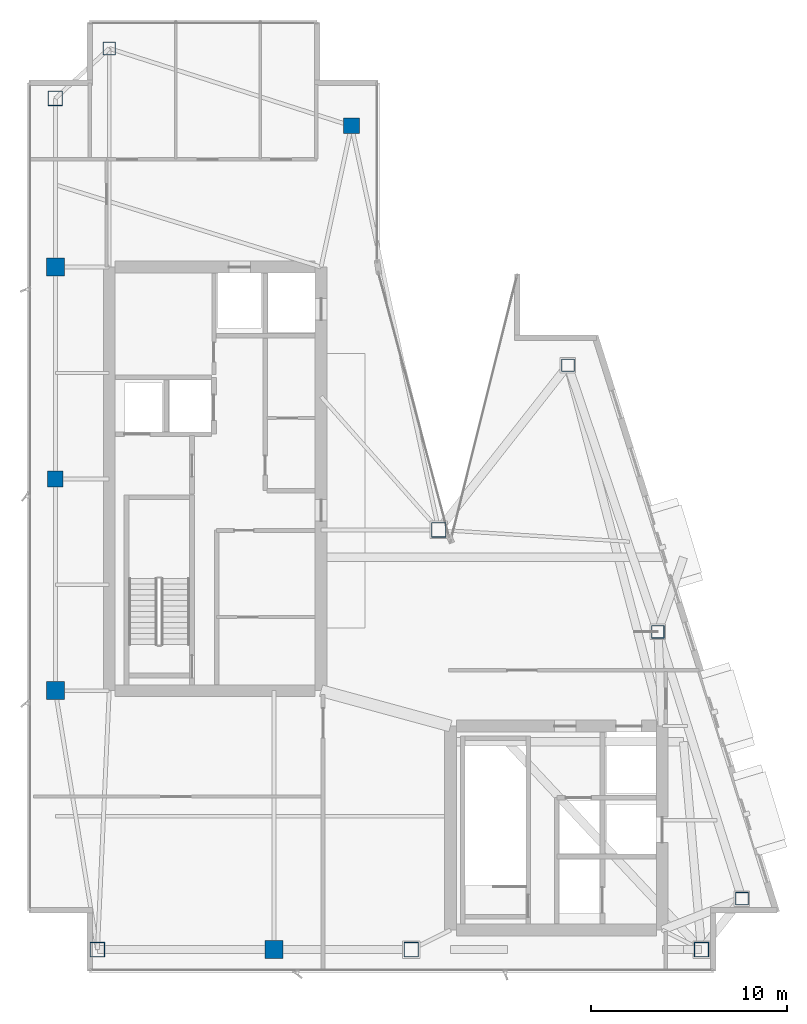
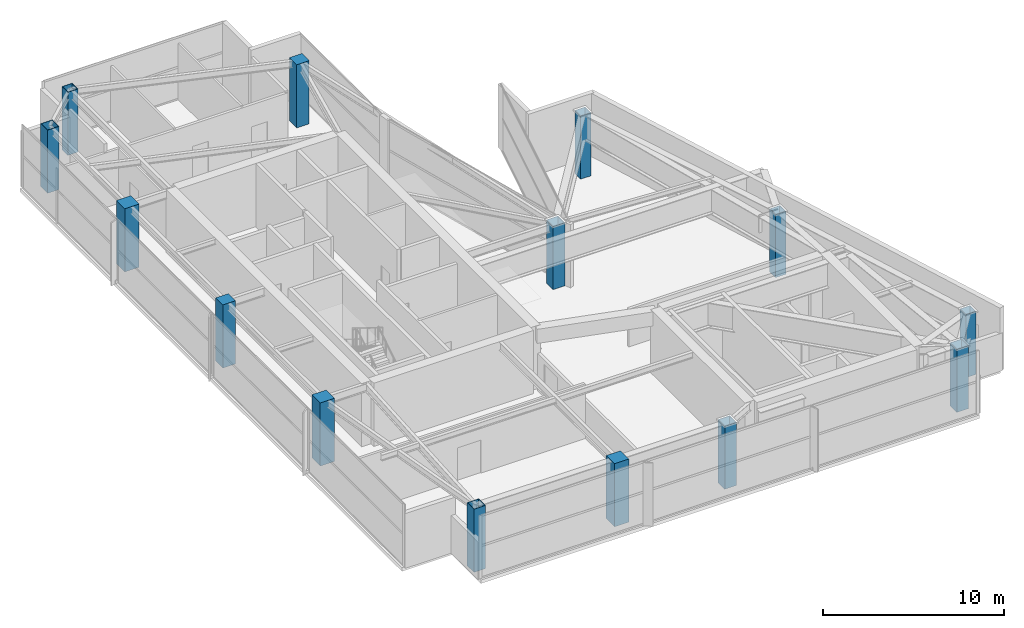
# One storey, part 1 of 25: 14 columns.
"""IFC4 building model written with IfcOpenShell, lengths in metres."""

from ifc_helpers import new_model, si_unit, direction, frame, origin, origin_2d, place, context, subcontext, project, spatial, rectangle, hollow_rectangle, extrude, material, material_profile, profile_set, type_object, element, save


model = new_model("IFC4")

# Units and contexts
model_context = context("Model", 3, precision=1e-05, world=origin(), true_north=direction((0.0, 1.0)))
body_context = subcontext(model_context, "Body", "Model", "MODEL_VIEW")
ifc_project = project(units=[si_unit("LENGTHUNIT", "METRE"), si_unit("AREAUNIT", "SQUARE_METRE"), si_unit("VOLUMEUNIT", "CUBIC_METRE"), si_unit("PLANEANGLEUNIT", "RADIAN"), si_unit("MASSUNIT", "GRAM", prefix="KILO")], contexts=[model_context])

# Site, building, storey
site_placement = place(None, origin())
site = spatial("IfcSite", under=ifc_project, at=site_placement, CompositionType="ELEMENT")
building_placement = place(site_placement, origin())
building = spatial("IfcBuilding", under=site, at=building_placement, Name="Calvorn Quay Hotel", CompositionType="ELEMENT")
storey_placement = place(building_placement, frame((0.0, 0.0, 316.0)))
storey = spatial("IfcBuildingStorey", under=building, at=storey_placement, Name="L78", CompositionType="ELEMENT", Elevation=316.0)

# Columns
ifc_material_1 = material(Name="Concrete C45", Category="concrete")
ifc_material_profile_1 = material_profile(ifc_material_1, rectangle(XDim=0.800048828125, YDim=0.800048828125, at=origin_2d()), Name="RC800x800")
ifc_profile_set_1 = profile_set([ifc_material_profile_1], Name="Concrete C45")
column_type_1 = type_object("IfcColumnType", Name="COL-RC-800", PredefinedType="COLUMN", material=ifc_profile_set_1)
for number, where, z_axis, x_axis, name in (
    (1, (1.449951171875, 27.60009765625, 0.0), (0.0, 0.0, 1.0), (1.0, 0.0, 0.0), "Column C-W3 (L78)"),
    (2, (16.550048828125, 45.60009765625, 0.0), (0.0, 0.0, 1.0), (1.0, 0.0, 0.0), "Column C-IC1 (L78)"),
):
    element("IfcColumn", number, at=place(storey_placement, frame(where, z_axis=z_axis, x_axis=x_axis)), inside=storey, type_object=column_type_1, Name=name, PredefinedType="COLUMN", context=body_context, shape_type="SweptSolid", body=[
        extrude(rectangle(XDim=0.800048828125, YDim=0.800048828125, at=origin_2d()), origin(), (0.0, 0.0, 1.0), 4.260009765625),
    ])
ifc_material_2 = material(Name="Concrete C45", Category="concrete")
ifc_material_profile_2 = material_profile(ifc_material_2, rectangle(XDim=0.919921875, YDim=0.919921875, at=origin_2d()), Name="RC920x920")
ifc_profile_set_2 = profile_set([ifc_material_profile_2], Name="Concrete C45")
column_type_2 = type_object("IfcColumnType", Name="COL-RC-920", PredefinedType="COLUMN", material=ifc_profile_set_2)
for number, where, z_axis, x_axis, name in (
    (3, (1.449951171875, 16.800048828125, 0.0), (0.0, 0.0, 1.0), (1.0, 0.0, 0.0), "Column C-W2 (L78)"),
    (4, (1.449951171875, 38.39990234375, 0.0), (0.0, 0.0, 1.0), (1.0, 0.0, 0.0), "Column C-W4 (L78)"),
    (5, (12.60009765625, 3.60009765625, 0.0), (0.0, 0.0, 1.0), (1.0, 0.0, 0.0), "Column C-S1 (L78)"),
):
    element("IfcColumn", number, at=place(storey_placement, frame(where, z_axis=z_axis, x_axis=x_axis)), inside=storey, type_object=column_type_2, Name=name, PredefinedType="COLUMN", context=body_context, shape_type="SweptSolid", body=[
        extrude(rectangle(XDim=0.919921875, YDim=0.919921875, at=origin_2d()), origin(), (0.0, 0.0, 1.0), 4.260009765625),
    ])
ifc_material_3 = material(Name="Steel Q390GJC", Category="steel")
ifc_material_profile_3 = material_profile(ifc_material_3, hollow_rectangle(XDim=0.75, YDim=0.75, WallThickness=0.031982421875, at=origin_2d()), Name="BOX750x750x32")
ifc_profile_set_3 = profile_set([ifc_material_profile_3], Name="Steel Q390GJC")
column_type_3 = type_object("IfcColumnType", Name="COL-STL-Z3", PredefinedType="COLUMN", material=ifc_profile_set_3)
for number, where, z_axis, x_axis, name in (
    (6, (3.60009765625, 3.60009765625, 0.0), (0.0, 0.0, 1.0), (1.0, 0.0, 0.0), "Column C-W1 (L78)"),
    (7, (1.449951171875, 47.0, 0.0), (0.0, 0.0, 1.0), (1.0, 0.0, 0.0), "Column C-W5 (L78)"),
    (8, (21.0, 25.0, 0.0), (0.0, 0.0, 1.0), (1.0, 0.0, 0.0), "Column C-IC2 (L78)"),
    (9, (19.60009765625, 3.60009765625, 0.0), (0.0, 0.0, 1.0), (1.0, 0.0, 0.0), "Column C-S2 (L78)"),
    (10, (34.39990234375, 3.60009765625, 0.0), (0.0, 0.0, 1.0), (1.0, 0.0, 0.0), "Column C-S3 (L78)"),
):
    element("IfcColumn", number, at=place(storey_placement, frame(where, z_axis=z_axis, x_axis=x_axis)), inside=storey, type_object=column_type_3, Name=name, PredefinedType="COLUMN", context=body_context, shape_type="SweptSolid", body=[
        extrude(hollow_rectangle(XDim=0.75, YDim=0.75, WallThickness=0.031982421875, at=origin_2d()), origin(), (0.0, 0.0, 1.0), 4.260009765625),
    ])
ifc_material_4 = material(Name="Steel Q355B", Category="steel")
ifc_material_profile_4 = material_profile(ifc_material_4, hollow_rectangle(XDim=0.64990234375, YDim=0.64990234375, WallThickness=0.028076171875, at=origin_2d()), Name="BOX650x650x28")
ifc_profile_set_4 = profile_set([ifc_material_profile_4], Name="Steel Q355B")
column_type_4 = type_object("IfcColumnType", Name="COL-STL-Z4", PredefinedType="COLUMN", material=ifc_profile_set_4)
for number, where, z_axis, x_axis, name in (
    (11, (4.199951171875, 49.550048828125, 0.0), (0.0, 0.0, 1.0), (1.0, 0.0, 0.0), "Column C-NW1 (L78)"),
    (12, (36.4609375, 6.199951171875, 0.0), (0.0, 0.0, 1.0), (1.0, 0.0, 0.0), "Column C-ET1 (L78)"),
    (13, (32.176025390625, 19.800048828125, 0.0), (0.0, 0.0, 1.0), (1.0, 0.0, 0.0), "Column C-ET2 (L78)"),
    (14, (27.591064453125, 33.39990234375, 0.0), (0.0, 0.0, 1.0), (1.0, 0.0, 0.0), "Column C-ET3 (L78)"),
):
    element("IfcColumn", number, at=place(storey_placement, frame(where, z_axis=z_axis, x_axis=x_axis)), inside=storey, type_object=column_type_4, Name=name, PredefinedType="COLUMN", context=body_context, shape_type="SweptSolid", body=[
        extrude(hollow_rectangle(XDim=0.64990234375, YDim=0.64990234375, WallThickness=0.028076171875, at=origin_2d()), origin(), (0.0, 0.0, 1.0), 4.260009765625),
    ])

save(model, "model.ifc")
